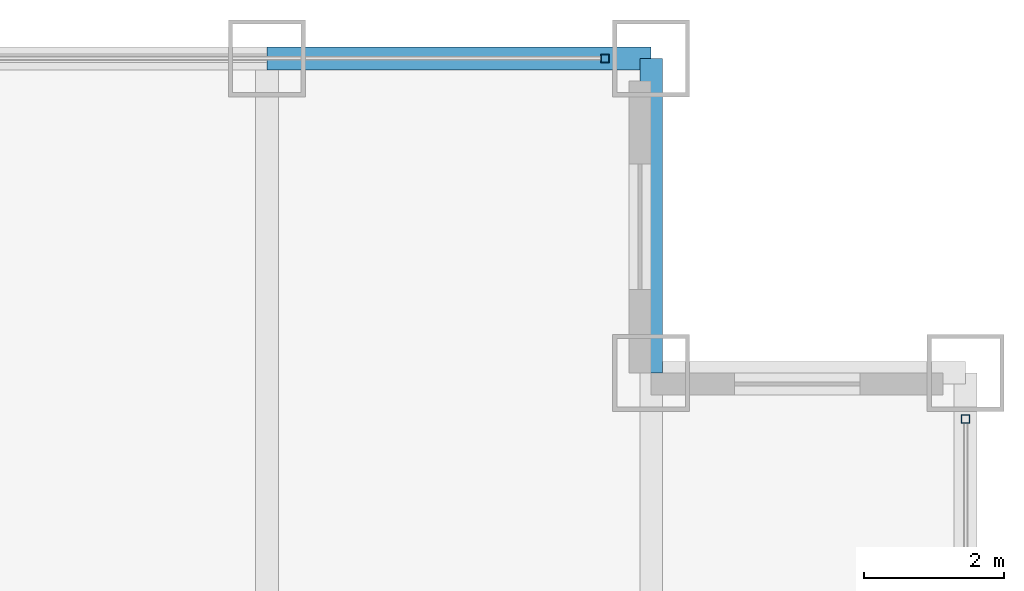
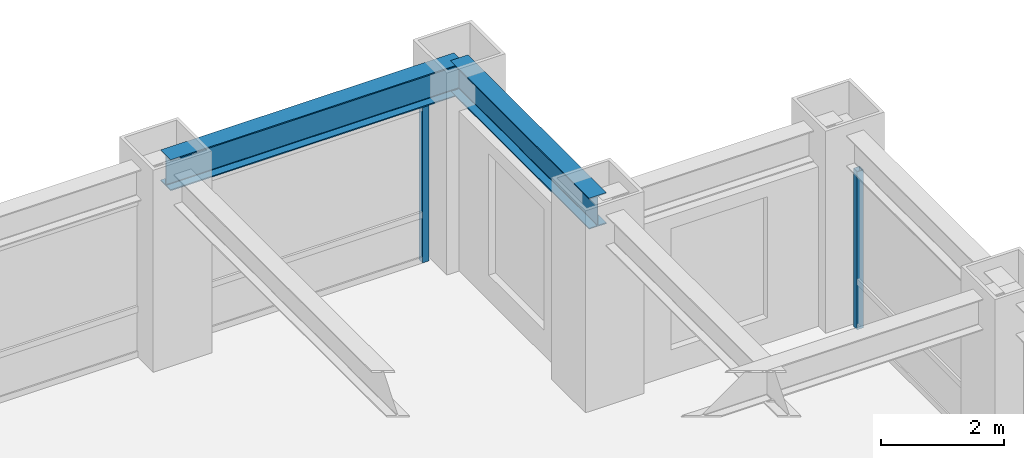
# One storey, part 18 of 24: 2 beams, 2 members, 2 elements without a shape of their own.
"""IFC4 building model written with IfcOpenShell, lengths in metres."""

from ifc_helpers import new_model, si_unit, direction, frame, origin, origin_2d, place, context, subcontext, project, spatial, hollow_rectangle, i_section, extrude, source, transform, mapped, material, material_profile, profile_set, type_object, element, aggregate, save


model = new_model("IFC4")

# Units and contexts
model_context = context("Model", 3, precision=1e-05, world=origin(), true_north=direction((0.0, 1.0)))
body_context = subcontext(model_context, "Body", "Model", "MODEL_VIEW")
ifc_project = project(units=[si_unit("LENGTHUNIT", "METRE"), si_unit("AREAUNIT", "SQUARE_METRE"), si_unit("VOLUMEUNIT", "CUBIC_METRE"), si_unit("PLANEANGLEUNIT", "RADIAN"), si_unit("MASSUNIT", "GRAM", prefix="KILO")], contexts=[model_context])

# Site, building, storey
site_placement = place(None, origin())
site = spatial("IfcSite", under=ifc_project, at=site_placement, CompositionType="ELEMENT")
building_placement = place(site_placement, origin())
building = spatial("IfcBuilding", under=site, at=building_placement, Name="Khorayat Bourse Tower", CompositionType="ELEMENT")
storey_placement = place(building_placement, frame((0.0, 0.0, 179.10009765625)))
storey = spatial("IfcBuildingStorey", under=building, at=storey_placement, Name="L41", CompositionType="ELEMENT", Elevation=179.10009765625)

# Beams
ifc_material_1 = material(Name="Steel ASTM A992 Grade 50", Category="steel")
ifc_material_profile_1 = material_profile(ifc_material_1, i_section(OverallWidth=0.324951171875, OverallDepth=0.615966796875, WebThickness=0.013916015625, FlangeThickness=0.021484375, FilletRadius=0.01611328125, at=origin_2d()), Name="W610X174")
ifc_profile_set_1 = profile_set([ifc_material_profile_1], Name="Steel ASTM A992 Grade 50")
beam_type = type_object("IfcBeamType", Name="BM-SPAN-610", PredefinedType="SPANDREL", material=ifc_profile_set_1)
shared_shape_1 = source(origin(), body_context, "Body", "SweptSolid", [
    extrude(i_section(OverallWidth=0.324951171875, OverallDepth=0.615966796875, WebThickness=0.013916015625, FlangeThickness=0.021484375, FilletRadius=0.01611328125, at=origin_2d()), origin(), (0.0, 0.0, 1.0), 5.5),
])
beam_1_placement = place(storey_placement, frame((20.0, 30.0, 3.471923828125), z_axis=(1.0, 0.0, 0.0), x_axis=(0.0, 1.0, 0.0)))
element("IfcBeam", 1, at=beam_1_placement, inside=storey, type_object=beam_type, Name="L41 BM-SPAN-610 BM-L41-SPN-044", PredefinedType="SPANDREL", context=body_context, shape_type="MappedRepresentation", body=[
    mapped(shared_shape_1, transform((0.0, 0.0, 0.0), scale=1.0)),
])
shared_shape_2 = source(origin(), body_context, "Body", "SweptSolid", [
    extrude(i_section(OverallWidth=0.324951171875, OverallDepth=0.615966796875, WebThickness=0.013916015625, FlangeThickness=0.021484375, FilletRadius=0.01611328125, at=origin_2d()), origin(), (0.0, 0.0, 1.0), 4.5),
])
beam_2_placement = place(storey_placement, frame((25.5, 25.5, 3.471923828125), z_axis=(0.0, 1.0, 0.0), x_axis=(-1.0, 0.0, 0.0)))
element("IfcBeam", 2, at=beam_2_placement, inside=storey, type_object=beam_type, Name="L41 BM-SPAN-610 BM-L41-SPN-043", PredefinedType="SPANDREL", context=body_context, shape_type="MappedRepresentation", body=[
    mapped(shared_shape_2, transform((0.0, 0.0, 0.0), scale=1.0)),
])

# Curtain wall, member
ifc_material_2 = material(Name="Aluminium EN AW-6063 T6", Category="aluminium")
curtain_wall_type = type_object("IfcCurtainWallType", Name="CW-SYS-03", PredefinedType="NOTDEFINED", material=ifc_material_2)
curtain_wall_1_placement = place(storey_placement, origin())
curtain_wall_1 = element("IfcCurtainWall", 3, at=curtain_wall_1_placement, inside=storey, type_object=curtain_wall_type, Name="L41 Curtain Wall CW-L41-N1", PredefinedType="NOTDEFINED")
ifc_material_profile_2 = material_profile(ifc_material_2, hollow_rectangle(XDim=0.1201171875, YDim=0.1201171875, WallThickness=0.0048828125, at=origin_2d()), Name="ALU 120x120x5")
ifc_profile_set_2 = profile_set([ifc_material_profile_2], Name="Aluminium EN AW-6063 T6")
member_type = type_object("IfcMemberType", Name="CWM-VERT-120", PredefinedType="MULLION", material=ifc_profile_set_2)
shared_shape_3 = source(origin(), body_context, "Body", "SweptSolid", [
    extrude(hollow_rectangle(XDim=0.1201171875, YDim=0.1201171875, WallThickness=0.0048828125, at=origin_2d()), origin(), (0.0, 0.0, 1.0), 3.1298828125),
])
member_1_placement = place(storey_placement, frame((24.840087890625, 30.0, 0.0), z_axis=(0.0, 0.0, 1.0), x_axis=(0.0, 1.0, 0.0)))
member_1 = element("IfcMember", 4, at=member_1_placement, type_object=member_type, Name="CW-L41-N1 Vertical Mullion 3", PredefinedType="MULLION", context=body_context, shape_type="MappedRepresentation", body=[
    mapped(shared_shape_3, transform((0.0, 0.0, 0.0), scale=1.0)),
])
aggregate(curtain_wall_1, [member_1])

curtain_wall_2_placement = place(storey_placement, origin())
curtain_wall_2 = element("IfcCurtainWall", 5, at=curtain_wall_2_placement, inside=storey, type_object=curtain_wall_type, Name="L41 Curtain Wall CW-L41-E1", PredefinedType="NOTDEFINED")
member_2_placement = place(storey_placement, frame((30.0, 24.840087890625, 0.0), z_axis=(0.0, 0.0, 1.0), x_axis=(-1.0, 0.0, 0.0)))
member_2 = element("IfcMember", 6, at=member_2_placement, type_object=member_type, Name="CW-L41-E1 Vertical Mullion 3", PredefinedType="MULLION", context=body_context, shape_type="MappedRepresentation", body=[
    mapped(shared_shape_3, transform((0.0, 0.0, 0.0), scale=1.0)),
])
aggregate(curtain_wall_2, [member_2])

save(model, "model.ifc")
